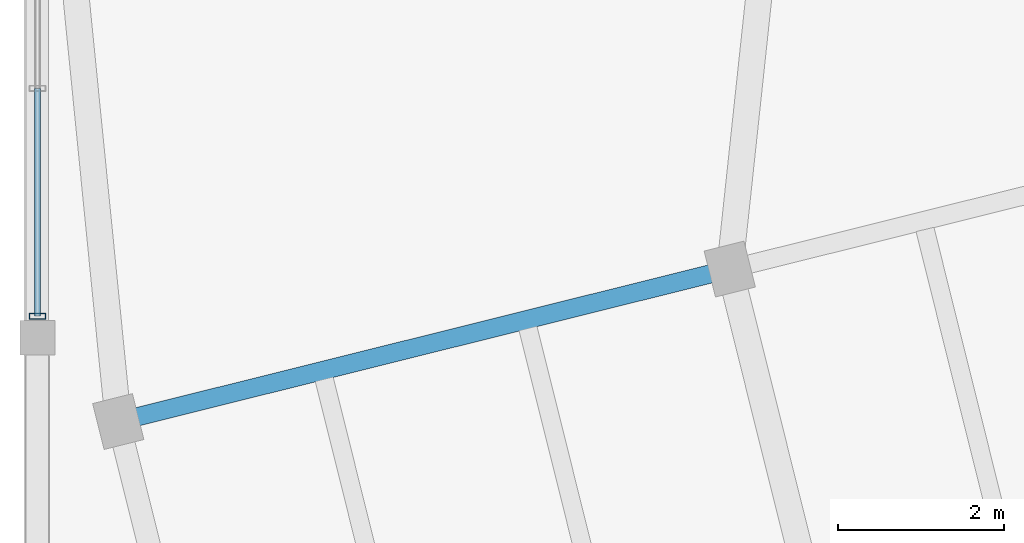
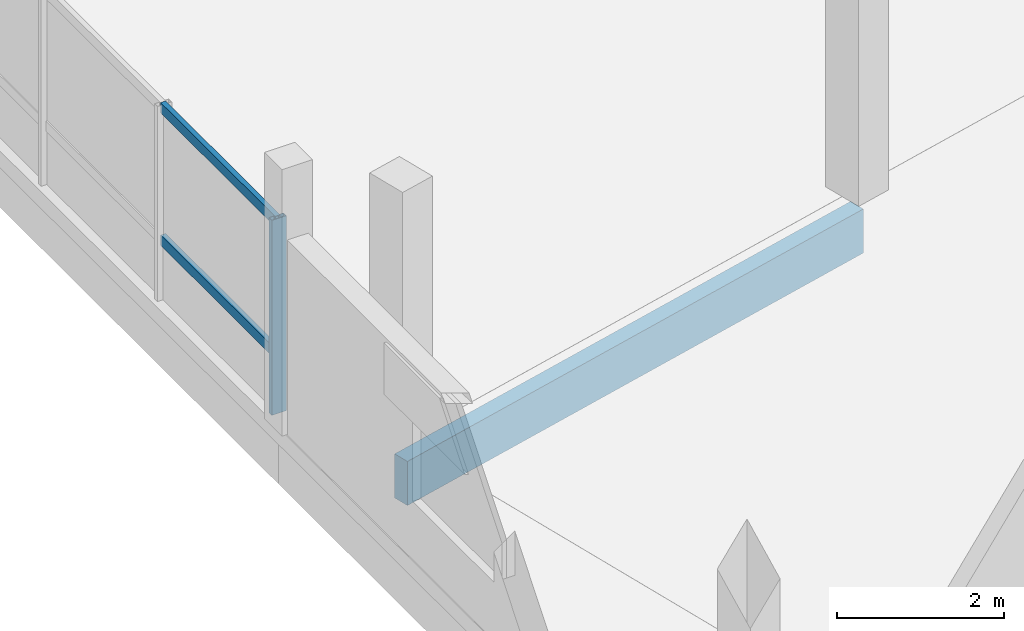
# One storey, part 28 of 47: 3 members, 1 beam, 1 element without a shape of its own.
"""IFC4 building model written with IfcOpenShell, lengths in metres."""

from ifc_helpers import new_model, si_unit, direction, frame, origin, origin_2d, place, context, subcontext, project, spatial, rectangle, hollow_rectangle, extrude, material, layer, layer_set, material_profile, profile_set, type_object, element, aggregate, save


model = new_model("IFC4")

# Units and contexts
model_context = context("Model", 3, precision=1e-05, world=origin(), true_north=direction((0.0, 1.0)))
body_context = subcontext(model_context, "Body", "Model", "MODEL_VIEW")
ifc_project = project(units=[si_unit("LENGTHUNIT", "METRE"), si_unit("AREAUNIT", "SQUARE_METRE"), si_unit("VOLUMEUNIT", "CUBIC_METRE"), si_unit("PLANEANGLEUNIT", "RADIAN"), si_unit("MASSUNIT", "GRAM", prefix="KILO")], contexts=[model_context])

# Site, building, storey
site_placement = place(None, origin())
site = spatial("IfcSite", under=ifc_project, at=site_placement, CompositionType="ELEMENT")
building_placement = place(site_placement, origin())
building = spatial("IfcBuilding", under=site, at=building_placement, Name="Meriwether Solvik Hall", CompositionType="ELEMENT")
storey_placement = place(building_placement, frame((0.0, 0.0, 18.300048828125)))
storey = spatial("IfcBuildingStorey", under=building, at=storey_placement, Name="L04", CompositionType="ELEMENT", Elevation=18.300048828125)

# Beam
ifc_material_1 = material(Name="Glulam Douglas-Fir 24F-V8 GL28h", Category="wood")
ifc_material_profile_1 = material_profile(ifc_material_1, rectangle(XDim=0.221923828125, YDim=0.64501953125, at=origin_2d()), Name="GLB-222X645")
ifc_profile_set_1 = profile_set([ifc_material_profile_1], Name="Glulam Douglas-Fir 24F-V8 GL28h")
beam_type = type_object("IfcBeamType", Name="BM-GL-222X645", PredefinedType="SPANDREL", material=ifc_profile_set_1)
beam_placement = place(storey_placement, frame((60.374755859375, 74.18994140625, -0.567626953125), z_axis=(0.970295366785, 0.241923337436, 0.0), x_axis=(-0.241923337436, 0.970295366785, 0.0)))
element("IfcBeam", 1, at=beam_placement, inside=storey, type_object=beam_type, Name="Tower Girder TF:T1-T2 (L04)", PredefinedType="SPANDREL", context=body_context, shape_type="SweptSolid", body=[
    extrude(rectangle(XDim=0.221923828125, YDim=0.64501953125, at=origin_2d()), origin(), (0.0, 0.0, 1.0), 7.60009765625),
])

# Curtain wall, members
ifc_material_2 = material(Name="Thermally Broken Anodised Aluminium 6063-T6 and Low-E Glass", Category="aluminium")
ifc_layer = layer(ifc_material_2, 0.179931640625)
ifc_layer_set = layer_set([ifc_layer], Name="Thermally Broken Anodised Aluminium 6063-T6 and Low-E Glass")
curtain_wall_type = type_object("IfcCurtainWallType", Name="CW-UNIT-E", PredefinedType="USERDEFINED", material=ifc_layer_set)
curtain_wall_placement = place(storey_placement, origin())
curtain_wall = element("IfcCurtainWall", 2, at=curtain_wall_placement, inside=storey, type_object=curtain_wall_type, Name="Curtain Wall wing_Y7_9_20 (L04)", ObjectType="UNITISED CURTAIN WALL", PredefinedType="USERDEFINED")
ifc_material_3 = material(Name="Anodised Aluminium 6063-T6", Category="aluminium")
ifc_material_profile_2 = material_profile(ifc_material_3, hollow_rectangle(XDim=0.070068359375, YDim=0.199951171875, WallThickness=0.0048828125, at=origin_2d()), Name="CWM-70X200")
ifc_profile_set_2 = profile_set([ifc_material_profile_2], Name="Anodised Aluminium 6063-T6")
member_type_1 = type_object("IfcMemberType", Name="CW-MUL-70X200", PredefinedType="MULLION", material=ifc_profile_set_2)
member_1_placement = place(storey_placement, frame((59.39990234375, 75.4599609375, 0.0), z_axis=(0.0, 0.0, 1.0), x_axis=(0.0, 1.0, 0.0)))
member_1 = element("IfcMember", 3, at=member_1_placement, type_object=member_type_1, Name="Curtain Wall Mullion 1", PredefinedType="MULLION", context=body_context, shape_type="SweptSolid", body=[
    extrude(hollow_rectangle(XDim=0.070068359375, YDim=0.199951171875, WallThickness=0.0048828125, at=origin_2d()), origin(), (0.0, 0.0, 1.0), 2.85498046875),
])
ifc_material_4 = material(Name="Anodised Aluminium 6063-T6", Category="aluminium")
ifc_material_profile_3 = material_profile(ifc_material_4, hollow_rectangle(XDim=0.070068359375, YDim=0.14990234375, WallThickness=0.0048828125, at=origin_2d()), Name="CWT-70X150")
ifc_profile_set_3 = profile_set([ifc_material_profile_3], Name="Anodised Aluminium 6063-T6")
member_type_2 = type_object("IfcMemberType", Name="CW-TRN-70X150", PredefinedType="USERDEFINED", material=ifc_profile_set_3)
member_2_placement = place(storey_placement, frame((59.39990234375, 75.4599609375, 0.8564453125), z_axis=(0.0, 1.0, 0.0), x_axis=(-1.0, 0.0, 0.0)))
member_2 = element("IfcMember", 4, at=member_2_placement, type_object=member_type_2, Name="Curtain Wall Transom 1-sill", ObjectType="TRANSOM", PredefinedType="USERDEFINED", context=body_context, shape_type="SweptSolid", body=[
    extrude(hollow_rectangle(XDim=0.070068359375, YDim=0.14990234375, WallThickness=0.0048828125, at=origin_2d()), origin(), (0.0, 0.0, 1.0), 2.747314453125),
])
member_3_placement = place(storey_placement, frame((59.39990234375, 75.4599609375, 2.794921875), z_axis=(0.0, 1.0, 0.0), x_axis=(-1.0, 0.0, 0.0)))
member_3 = element("IfcMember", 5, at=member_3_placement, type_object=member_type_2, Name="Curtain Wall Transom 1-head", ObjectType="TRANSOM", PredefinedType="USERDEFINED", context=body_context, shape_type="SweptSolid", body=[
    extrude(hollow_rectangle(XDim=0.070068359375, YDim=0.14990234375, WallThickness=0.0048828125, at=origin_2d()), origin(), (0.0, 0.0, 1.0), 2.747314453125),
])
aggregate(curtain_wall, [member_1, member_2, member_3])

save(model, "model.ifc")
